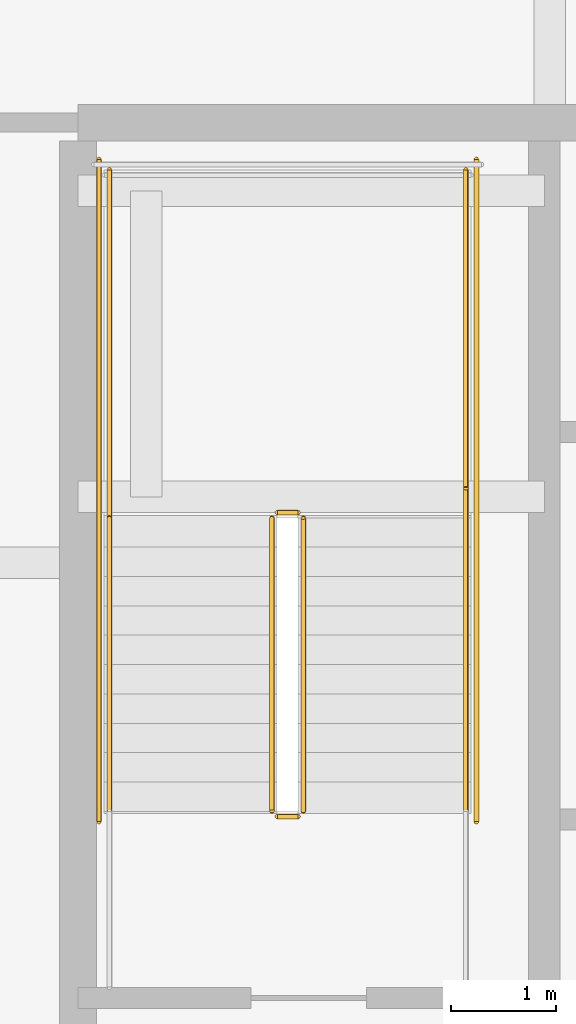
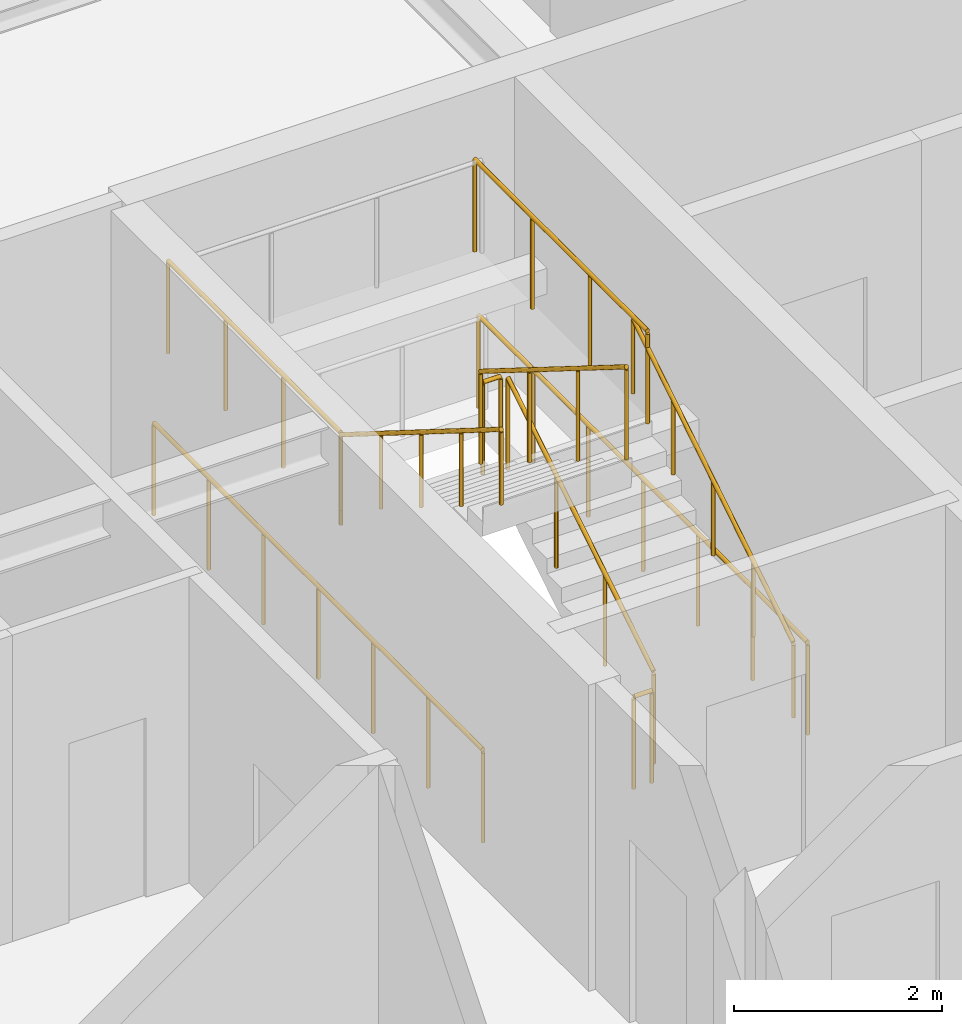
# One storey, part 35 of 38: 10 railings.
"""IFC4 building model written with IfcOpenShell, lengths in metres."""

from ifc_helpers import new_model, si_unit, direction, frame, origin, origin_2d, place, context, subcontext, project, spatial, circle, extrude, material, type_object, element, save


model = new_model("IFC4")

# Units and contexts
model_context = context("Model", 3, precision=1e-05, world=origin(), true_north=direction((0.0, 1.0)))
body_context = subcontext(model_context, "Body", "Model", "MODEL_VIEW")
ifc_project = project(units=[si_unit("LENGTHUNIT", "METRE"), si_unit("AREAUNIT", "SQUARE_METRE"), si_unit("VOLUMEUNIT", "CUBIC_METRE"), si_unit("PLANEANGLEUNIT", "RADIAN"), si_unit("MASSUNIT", "GRAM", prefix="KILO")], contexts=[model_context])

# Site, building, storey
site_placement = place(None, origin())
site = spatial("IfcSite", under=ifc_project, at=site_placement, CompositionType="ELEMENT")
building_placement = place(site_placement, origin())
building = spatial("IfcBuilding", under=site, at=building_placement, Name="Serunith Strait Residences", CompositionType="ELEMENT")
storey_placement = place(building_placement, frame((0.0, 0.0, 268.199951171875)))
storey = spatial("IfcBuildingStorey", under=building, at=storey_placement, Name="L67", CompositionType="ELEMENT", Elevation=268.199951171875)

# Railings
ifc_material = material(Name="Brushed stainless steel 316L", Category="steel")
railing_type_1 = type_object("IfcRailingType", Name="RLG-STAIR-GUARD", PredefinedType="BALUSTRADE", material=ifc_material)
railing_1_placement = place(storey_placement, frame((25.550048828125, 27.030029296875, 0.175048828125)))
element("IfcRailing", 1, at=railing_1_placement, inside=storey, type_object=railing_type_1, Name="L67 ST-1 stair guard 1", PredefinedType="BALUSTRADE", context=body_context, shape_type="SweptSolid", body=[
    extrude(circle(Radius=0.02392578125, at=origin_2d()), frame((0.0, 0.001708984375, 1.0771484375), z_axis=(0.0, 0.848002457836, 0.529992293815), x_axis=(-1.0, 0.0, 0.0)), (0.0, 0.0, 1.0), 3.2978515625),
    extrude(circle(Radius=0.02099609375, at=origin_2d()), origin(), (0.0, 0.0, 1.0), 1.050048828125),
    extrude(circle(Radius=0.02099609375, at=origin_2d()), frame((0.0, 0.933349609375, 0.583251953125)), (0.0, 0.0, 1.0), 1.050048828125),
    extrude(circle(Radius=0.02099609375, at=origin_2d()), frame((0.0, 1.86669921875, 1.166748046875)), (0.0, 0.0, 1.0), 1.050048828125),
    extrude(circle(Radius=0.02099609375, at=origin_2d()), frame((0.0, 2.800048828125, 1.75)), (0.0, 0.0, 1.0), 1.050048828125),
])
railing_2_placement = place(storey_placement, frame((25.5, 29.8798828125, 1.925048828125)))
element("IfcRailing", 2, at=railing_2_placement, inside=storey, type_object=railing_type_1, Name="L67 ST-1 stair guard 2", PredefinedType="BALUSTRADE", context=body_context, shape_type="SweptSolid", body=[
    extrude(circle(Radius=0.02392578125, at=origin_2d()), frame((-0.001953125, 0.0, 1.076171875), z_axis=(-1.0, 0.0, 0.0), x_axis=(0.0, -1.0, 0.0)), (0.0, 0.0, 1.0), 0.196044921875),
    extrude(circle(Radius=0.02099609375, at=origin_2d()), origin(), (0.0, 0.0, 1.0), 1.050048828125),
    extrude(circle(Radius=0.02099609375, at=origin_2d()), frame((-0.199951171875, 0.0, 0.0)), (0.0, 0.0, 1.0), 1.050048828125),
])
for number, where, name in (
    (3, (27.10009765625, 29.830078125, 1.925048828125), "L67 ST-1 stair guard 3"),
    (4, (23.699951171875, 29.830078125, 1.925048828125), "L67 ST-1 stair guard 4"),
):
    element("IfcRailing", number, at=place(storey_placement, frame(where)), inside=storey, type_object=railing_type_1, Name=name, PredefinedType="BALUSTRADE", context=body_context, shape_type="SweptSolid", body=[
        extrude(circle(Radius=0.02392578125, at=origin_2d()), frame((0.0, 0.001953125, 1.076171875), z_axis=(0.0, 1.0, 0.0), x_axis=(-1.0, 0.0, 0.0)), (0.0, 0.0, 1.0), 3.31591796875),
        extrude(circle(Radius=0.02099609375, at=origin_2d()), origin(), (0.0, 0.0, 1.0), 1.050048828125),
        extrude(circle(Radius=0.02099609375, at=origin_2d()), frame((0.0, 1.106689453125, 0.0)), (0.0, 0.0, 1.0), 1.050048828125),
        extrude(circle(Radius=0.02099609375, at=origin_2d()), frame((0.0, 2.213134765625, 0.0)), (0.0, 0.0, 1.0), 1.050048828125),
        extrude(circle(Radius=0.02099609375, at=origin_2d()), frame((0.0, 3.31982421875, 0.0)), (0.0, 0.0, 1.0), 1.050048828125),
    ])
railing_3_placement = place(storey_placement, frame((25.25, 29.830078125, 2.10009765625)))
element("IfcRailing", 5, at=railing_3_placement, inside=storey, type_object=railing_type_1, Name="L67 ST-1 stair guard 6", PredefinedType="BALUSTRADE", context=body_context, shape_type="SweptSolid", body=[
    extrude(circle(Radius=0.02392578125, at=origin_2d()), frame((0.0, -0.001708984375, 1.0771484375), z_axis=(0.0, -0.848002457836, 0.529992293815), x_axis=(1.0, 0.0, 0.0)), (0.0, 0.0, 1.0), 3.2978515625),
    extrude(circle(Radius=0.02099609375, at=origin_2d()), origin(), (0.0, 0.0, 1.0), 1.050048828125),
    extrude(circle(Radius=0.02099609375, at=origin_2d()), frame((0.0, -0.933349609375, 0.583251953125)), (0.0, 0.0, 1.0), 1.050048828125),
    extrude(circle(Radius=0.02099609375, at=origin_2d()), frame((0.0, -1.86669921875, 1.166748046875)), (0.0, 0.0, 1.0), 1.050048828125),
    extrude(circle(Radius=0.02099609375, at=origin_2d()), frame((0.0, -2.800048828125, 1.75)), (0.0, 0.0, 1.0), 1.050048828125),
])
railing_4_placement = place(storey_placement, frame((25.5, 26.97998046875, 0.0)))
element("IfcRailing", 6, at=railing_4_placement, inside=storey, type_object=railing_type_1, Name="L67 ST-1 stair guard 7", PredefinedType="BALUSTRADE", context=body_context, shape_type="SweptSolid", body=[
    extrude(circle(Radius=0.02392578125, at=origin_2d()), frame((-0.001953125, 0.0, 1.076171875), z_axis=(-1.0, 0.0, 0.0), x_axis=(0.0, -1.0, 0.0)), (0.0, 0.0, 1.0), 0.196044921875),
    extrude(circle(Radius=0.02099609375, at=origin_2d()), origin(), (0.0, 0.0, 1.0), 1.050048828125),
    extrude(circle(Radius=0.02099609375, at=origin_2d()), frame((-0.199951171875, 0.0, 0.0)), (0.0, 0.0, 1.0), 1.050048828125),
])
for number, where, name in (
    (7, (27.199951171875, 26.929931640625, 0.0), "L67 ST-1 stair guard 10"),
    (8, (23.60009765625, 26.929931640625, 0.0), "L67 ST-1 stair guard 11"),
):
    element("IfcRailing", number, at=place(storey_placement, frame(where)), inside=storey, type_object=railing_type_1, Name=name, PredefinedType="BALUSTRADE", context=body_context, shape_type="SweptSolid", body=[
        extrude(circle(Radius=0.02392578125, at=origin_2d()), frame((0.0, 0.001953125, 1.076171875), z_axis=(0.0, 1.0, 0.0), x_axis=(-1.0, 0.0, 0.0)), (0.0, 0.0, 1.0), 6.316162109375),
        extrude(circle(Radius=0.02099609375, at=origin_2d()), origin(), (0.0, 0.0, 1.0), 1.050048828125),
        extrude(circle(Radius=0.02099609375, at=origin_2d()), frame((0.0, 1.05322265625, 0.0)), (0.0, 0.0, 1.0), 1.050048828125),
        extrude(circle(Radius=0.02099609375, at=origin_2d()), frame((0.0, 2.106689453125, 0.0)), (0.0, 0.0, 1.0), 1.050048828125),
        extrude(circle(Radius=0.02099609375, at=origin_2d()), frame((0.0, 3.16015625, 0.0)), (0.0, 0.0, 1.0), 1.050048828125),
        extrude(circle(Radius=0.02099609375, at=origin_2d()), frame((0.0, 4.21337890625, 0.0)), (0.0, 0.0, 1.0), 1.050048828125),
        extrude(circle(Radius=0.02099609375, at=origin_2d()), frame((0.0, 5.2666015625, 0.0)), (0.0, 0.0, 1.0), 1.050048828125),
        extrude(circle(Radius=0.02099609375, at=origin_2d()), frame((0.0, 6.320068359375, 0.0)), (0.0, 0.0, 1.0), 1.050048828125),
    ])
railing_type_2 = type_object("IfcRailingType", Name="RLG-STAIR-HR", PredefinedType="HANDRAIL", material=ifc_material)
railing_5_placement = place(storey_placement, frame((27.10009765625, 27.030029296875, 0.175048828125)))
element("IfcRailing", 9, at=railing_5_placement, inside=storey, type_object=railing_type_2, Name="L67 ST-1 stair handrail 1", PredefinedType="HANDRAIL", context=body_context, shape_type="SweptSolid", body=[
    extrude(circle(Radius=0.02392578125, at=origin_2d()), frame((0.0, 0.001708984375, 0.876953125), z_axis=(0.0, 0.847393994688, 0.530964610654), x_axis=(-1.0, 0.0, 0.0)), (0.0, 0.0, 1.0), 3.630859375),
    extrude(circle(Radius=0.02099609375, at=origin_2d()), origin(), (0.0, 0.0, 1.0), 0.849853515625),
    extrude(circle(Radius=0.02099609375, at=origin_2d()), frame((0.0, 0.77001953125, 0.482421875)), (0.0, 0.0, 1.0), 0.849853515625),
    extrude(circle(Radius=0.02099609375, at=origin_2d()), frame((0.0, 1.5400390625, 0.96484375)), (0.0, 0.0, 1.0), 0.849853515625),
    extrude(circle(Radius=0.02099609375, at=origin_2d()), frame((0.0, 2.31005859375, 1.447509765625)), (0.0, 0.0, 1.0), 0.849853515625),
    extrude(circle(Radius=0.02099609375, at=origin_2d()), frame((0.0, 3.080078125, 1.929931640625)), (0.0, 0.0, 1.0), 0.849853515625),
])
railing_6_placement = place(storey_placement, frame((23.699951171875, 29.830078125, 2.10009765625)))
element("IfcRailing", 10, at=railing_6_placement, inside=storey, type_object=railing_type_2, Name="L67 ST-1 stair handrail 2", PredefinedType="HANDRAIL", context=body_context, shape_type="SweptSolid", body=[
    extrude(circle(Radius=0.02392578125, at=origin_2d()), frame((0.0, -0.001708984375, 0.876953125), z_axis=(0.0, -0.847393994688, 0.530964610654), x_axis=(1.0, 0.0, 0.0)), (0.0, 0.0, 1.0), 3.630859375),
    extrude(circle(Radius=0.02099609375, at=origin_2d()), origin(), (0.0, 0.0, 1.0), 0.849853515625),
    extrude(circle(Radius=0.02099609375, at=origin_2d()), frame((0.0, -0.77001953125, 0.482421875)), (0.0, 0.0, 1.0), 0.849853515625),
    extrude(circle(Radius=0.02099609375, at=origin_2d()), frame((0.0, -1.5400390625, 0.96484375)), (0.0, 0.0, 1.0), 0.849853515625),
    extrude(circle(Radius=0.02099609375, at=origin_2d()), frame((0.0, -2.31005859375, 1.447509765625)), (0.0, 0.0, 1.0), 0.849853515625),
    extrude(circle(Radius=0.02099609375, at=origin_2d()), frame((0.0, -3.080078125, 1.929931640625)), (0.0, 0.0, 1.0), 0.849853515625),
])

save(model, "model.ifc")
